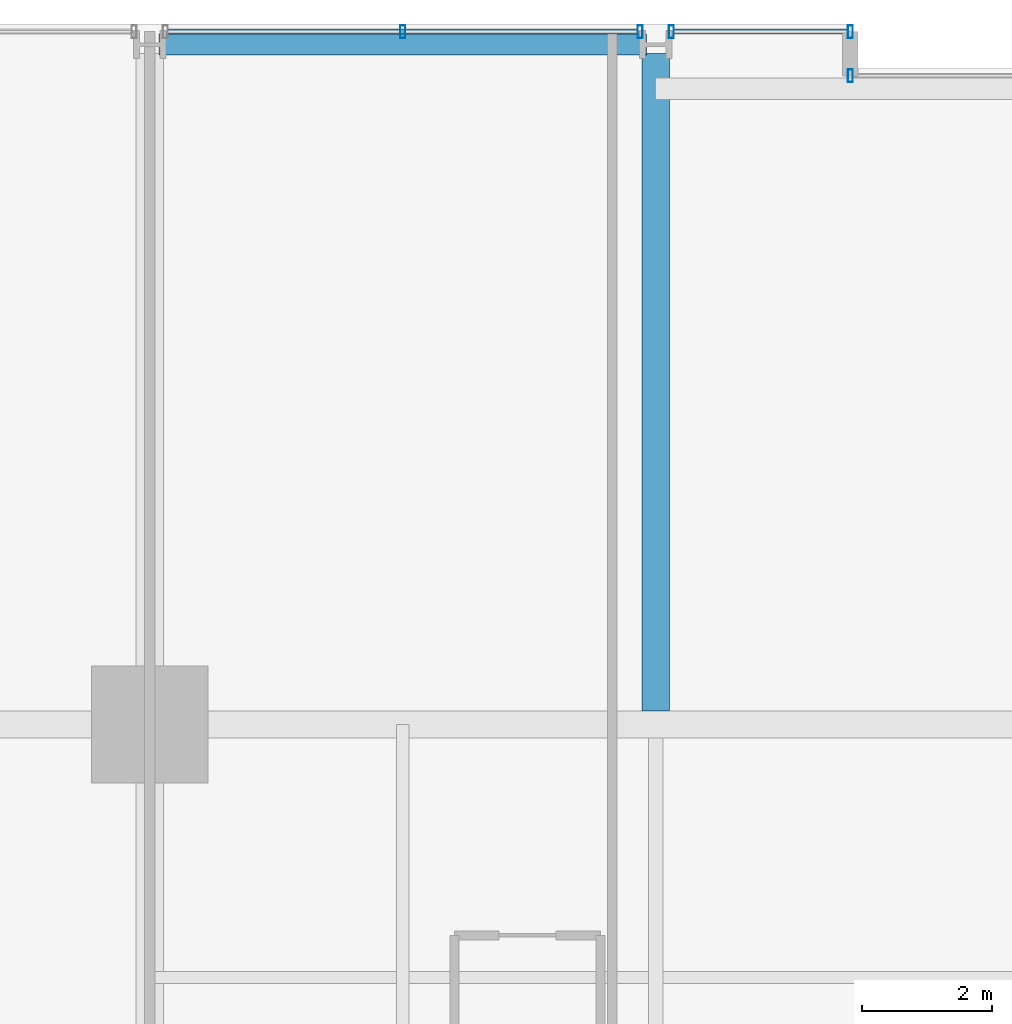
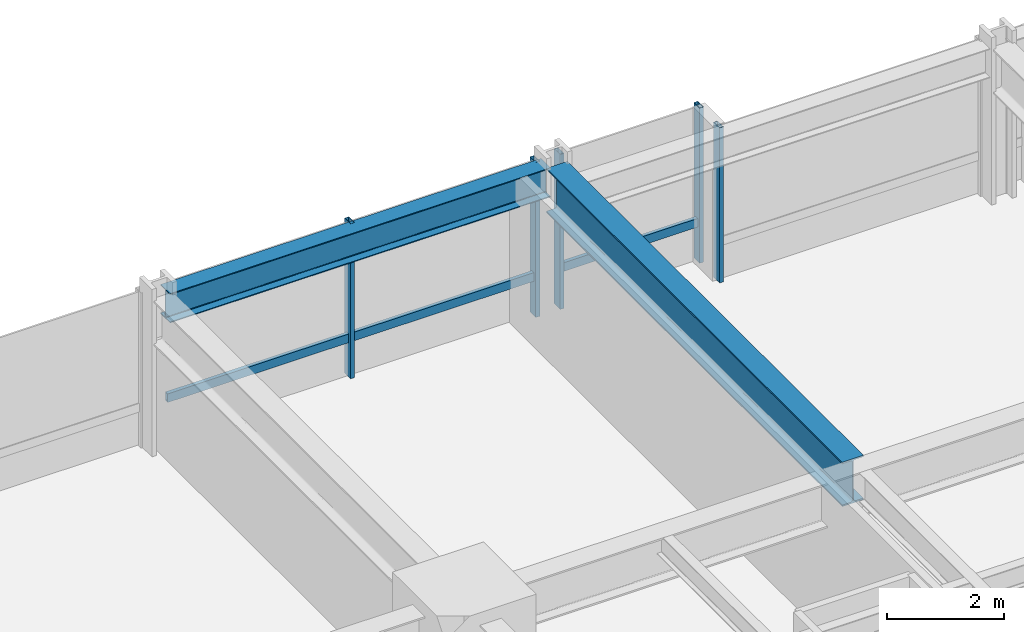
# One storey, part 22 of 38: 7 members, 2 beams, 3 elements without a shape of their own.
"""IFC4 building model written with IfcOpenShell, lengths in metres."""

from ifc_helpers import new_model, si_unit, direction, frame, origin, origin_2d, place, context, subcontext, project, spatial, hollow_rectangle, i_section, extrude, material, layer, layer_set, material_profile, profile_set, type_object, element, aggregate, save


model = new_model("IFC4")

# Units and contexts
model_context = context("Model", 3, precision=1e-05, world=origin(), true_north=direction((0.0, 1.0)))
body_context = subcontext(model_context, "Body", "Model", "MODEL_VIEW")
ifc_project = project(units=[si_unit("LENGTHUNIT", "METRE"), si_unit("AREAUNIT", "SQUARE_METRE"), si_unit("VOLUMEUNIT", "CUBIC_METRE"), si_unit("PLANEANGLEUNIT", "RADIAN"), si_unit("MASSUNIT", "GRAM", prefix="KILO")], contexts=[model_context])

# Site, building, storey
site_placement = place(None, origin())
site = spatial("IfcSite", under=ifc_project, at=site_placement, CompositionType="ELEMENT")
building_placement = place(site_placement, origin())
building = spatial("IfcBuilding", under=site, at=building_placement, Name="Drelvath Grand Hotel", CompositionType="ELEMENT")
storey_placement = place(building_placement, frame((0.0, 0.0, 47.199951171875)))
storey = spatial("IfcBuildingStorey", under=building, at=storey_placement, Name="L10", CompositionType="ELEMENT", Elevation=47.199951171875)

# Curtain wall, member
ifc_material_1 = material(Name="Warm Bronze Anodised Aluminium Frame", Category="aluminium")
ifc_layer = layer(ifc_material_1, 0.199951171875)
ifc_layer_set = layer_set([ifc_layer], Name="Warm Bronze Anodised Aluminium Frame")
curtain_wall_type = type_object("IfcCurtainWallType", Name="Stick Curtain Wall CW-02 Warm Bronze Low-Rise", PredefinedType="NOTDEFINED", material=ifc_layer_set)
curtain_wall_1_placement = place(storey_placement, origin())
curtain_wall_1 = element("IfcCurtainWall", 1, at=curtain_wall_1_placement, inside=storey, type_object=curtain_wall_type, Name="L10 CW-02 Curtain Wall CW02-L10-NW2", PredefinedType="NOTDEFINED")
ifc_material_profile_1 = material_profile(ifc_material_1, hollow_rectangle(XDim=0.074951171875, YDim=0.179931640625, WallThickness=0.0048828125, at=origin_2d()), Name="HSS180X75X5")
ifc_profile_set_1 = profile_set([ifc_material_profile_1], Name="Warm Bronze Anodised Aluminium Frame")
member_type_1 = type_object("IfcMemberType", Name="Curtain Wall Horizontal Transom CW-02 HSS180X75X5", PredefinedType="USERDEFINED", material=ifc_profile_set_1)
member_1_placement = place(storey_placement, frame((-15.919189453125, 53.8798828125, 0.81005859375), z_axis=(1.0, 0.0, 0.0), x_axis=(0.0, 1.0, 0.0)))
member_1 = element("IfcMember", 2, at=member_1_placement, type_object=member_type_1, Name="CW02-L10-NW2 Sill Transom", ObjectType="TRANSOM", PredefinedType="USERDEFINED", context=body_context, shape_type="SweptSolid", body=[
    extrude(hollow_rectangle(XDim=0.074951171875, YDim=0.179931640625, WallThickness=0.0048828125, at=origin_2d()), origin(), (0.0, 0.0, 1.0), 7.23828125),
])

curtain_wall_2_placement = place(storey_placement, origin())
curtain_wall_2 = element("IfcCurtainWall", 3, at=curtain_wall_2_placement, inside=storey, type_object=curtain_wall_type, Name="L10 CW-02 Curtain Wall CW02-L10-NW3", PredefinedType="NOTDEFINED")
member_2_placement = place(storey_placement, frame((-8.119140625, 53.8798828125, 0.81005859375), z_axis=(1.0, 0.0, 0.0), x_axis=(0.0, 1.0, 0.0)))
member_2 = element("IfcMember", 4, at=member_2_placement, type_object=member_type_1, Name="CW02-L10-NW3 Sill Transom", ObjectType="TRANSOM", PredefinedType="USERDEFINED", context=body_context, shape_type="SweptSolid", body=[
    extrude(hollow_rectangle(XDim=0.074951171875, YDim=0.179931640625, WallThickness=0.0048828125, at=origin_2d()), origin(), (0.0, 0.0, 1.0), 2.67919921875),
])

# Member
ifc_material_profile_2 = material_profile(ifc_material_1, hollow_rectangle(XDim=0.080078125, YDim=0.199951171875, WallThickness=0.0048828125, at=origin_2d()), Name="HSS200X80X5")
ifc_profile_set_2 = profile_set([ifc_material_profile_2], Name="Warm Bronze Anodised Aluminium Frame")
member_type_2 = type_object("IfcMemberType", Name="Curtain Wall Vertical Mullion CW-02 HSS200X80X5", PredefinedType="MULLION", material=ifc_profile_set_2)
member_3_placement = place(storey_placement, frame((-12.300048828125, 53.8798828125, 0.0), z_axis=(0.0, 0.0, 1.0), x_axis=(1.0, 0.0, 0.0)))
member_3 = element("IfcMember", 5, at=member_3_placement, type_object=member_type_2, Name="CW02-L10-NW2 Mullion 2", PredefinedType="MULLION", context=body_context, shape_type="SweptSolid", body=[
    extrude(hollow_rectangle(XDim=0.080078125, YDim=0.199951171875, WallThickness=0.0048828125, at=origin_2d()), origin(), (0.0, 0.0, 1.0), 3.239990234375),
])

member_4_placement = place(storey_placement, frame((-8.640869140625, 53.8798828125, 0.0), z_axis=(0.0, 0.0, 1.0), x_axis=(1.0, 0.0, 0.0)))
member_4 = element("IfcMember", 6, at=member_4_placement, type_object=member_type_2, Name="CW02-L10-NW2 Mullion 3", PredefinedType="MULLION", context=body_context, shape_type="SweptSolid", body=[
    extrude(hollow_rectangle(XDim=0.080078125, YDim=0.199951171875, WallThickness=0.0048828125, at=origin_2d()), origin(), (0.0, 0.0, 1.0), 3.239990234375),
])

aggregate(curtain_wall_1, [member_3, member_4, member_1])

member_5_placement = place(storey_placement, frame((-8.1591796875, 53.8798828125, 0.0), z_axis=(0.0, 0.0, 1.0), x_axis=(1.0, 0.0, 0.0)))
member_5 = element("IfcMember", 7, at=member_5_placement, type_object=member_type_2, Name="CW02-L10-NW3 Mullion 1", PredefinedType="MULLION", context=body_context, shape_type="SweptSolid", body=[
    extrude(hollow_rectangle(XDim=0.080078125, YDim=0.199951171875, WallThickness=0.0048828125, at=origin_2d()), origin(), (0.0, 0.0, 1.0), 3.239990234375),
])

member_6_placement = place(storey_placement, frame((-5.39990234375, 53.8798828125, 0.0), z_axis=(0.0, 0.0, 1.0), x_axis=(1.0, 0.0, 0.0)))
member_6 = element("IfcMember", 8, at=member_6_placement, type_object=member_type_2, Name="CW02-L10-NW3 Mullion 2", PredefinedType="MULLION", context=body_context, shape_type="SweptSolid", body=[
    extrude(hollow_rectangle(XDim=0.080078125, YDim=0.199951171875, WallThickness=0.0048828125, at=origin_2d()), origin(), (0.0, 0.0, 1.0), 3.239990234375),
])

aggregate(curtain_wall_2, [member_5, member_6, member_2])

# Curtain wall, member
curtain_wall_3_placement = place(storey_placement, origin())
curtain_wall_3 = element("IfcCurtainWall", 9, at=curtain_wall_3_placement, inside=storey, type_object=curtain_wall_type, Name="L10 CW-02 Curtain Wall CW02-L10-NM1", PredefinedType="NOTDEFINED")
member_7_placement = place(storey_placement, frame((-5.39990234375, 53.199951171875, 0.0), z_axis=(0.0, 0.0, 1.0), x_axis=(1.0, 0.0, 0.0)))
member_7 = element("IfcMember", 10, at=member_7_placement, type_object=member_type_2, Name="CW02-L10-NM1 Mullion 1", PredefinedType="MULLION", context=body_context, shape_type="SweptSolid", body=[
    extrude(hollow_rectangle(XDim=0.080078125, YDim=0.199951171875, WallThickness=0.0048828125, at=origin_2d()), origin(), (0.0, 0.0, 1.0), 3.239990234375),
])
aggregate(curtain_wall_3, [member_7])

# Beams
ifc_material_2 = material(Name="Steel ASTM A992 Gr 50", Category="steel")
ifc_material_profile_3 = material_profile(ifc_material_2, i_section(OverallWidth=0.323974609375, OverallDepth=0.611083984375, WebThickness=0.0126953125, FlangeThickness=0.01904296875, FilletRadius=0.02197265625, at=origin_2d()), Name="W24X104")
ifc_profile_set_3 = profile_set([ifc_material_profile_3], Name="Steel ASTM A992 Gr 50")
beam_type_1 = type_object("IfcBeamType", Name="Perimeter Spandrel Beam W24X104", PredefinedType="SPANDREL", material=ifc_profile_set_3)
beam_1_placement = place(storey_placement, frame((-16.06005859375, 53.679931640625, 2.9345703125), z_axis=(1.0, 0.0, 0.0), x_axis=(0.0, 1.0, 0.0)))
element("IfcBeam", 11, at=beam_1_placement, inside=storey, type_object=beam_type_1, Name="L10 Spandrel North W", PredefinedType="SPANDREL", context=body_context, shape_type="SweptSolid", body=[
    extrude(i_section(OverallWidth=0.323974609375, OverallDepth=0.611083984375, WebThickness=0.0126953125, FlangeThickness=0.01904296875, FilletRadius=0.02197265625, at=origin_2d()), origin(), (0.0, 0.0, 1.0), 7.52001953125),
])
ifc_material_profile_4 = material_profile(ifc_material_2, i_section(OverallWidth=0.418212890625, OverallDepth=0.926513671875, WebThickness=0.019287109375, FlangeThickness=0.031982421875, FilletRadius=0.028076171875, at=origin_2d()), Name="W36X231")
ifc_profile_set_4 = profile_set([ifc_material_profile_4], Name="Steel ASTM A992 Gr 50")
beam_type_2 = type_object("IfcBeamType", Name="Primary Floor Girder W36X231", PredefinedType="BEAM", material=ifc_profile_set_4)
beam_2_placement = place(storey_placement, frame((-8.39990234375, 43.4091796875, 2.77685546875), z_axis=(0.0, 1.0, 0.0), x_axis=(-1.0, 0.0, 0.0)))
element("IfcBeam", 12, at=beam_2_placement, inside=storey, type_object=beam_type_2, Name="L10 North Wing Girder 4", PredefinedType="BEAM", context=body_context, shape_type="SweptSolid", body=[
    extrude(i_section(OverallWidth=0.418212890625, OverallDepth=0.926513671875, WebThickness=0.019287109375, FlangeThickness=0.031982421875, FilletRadius=0.028076171875, at=origin_2d()), origin(), (0.0, 0.0, 1.0), 10.130859375),
])

save(model, "model.ifc")
